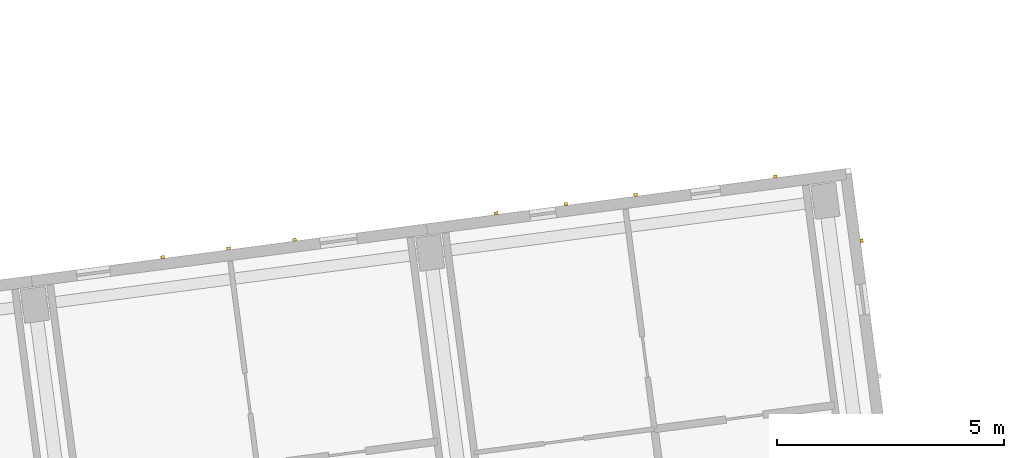
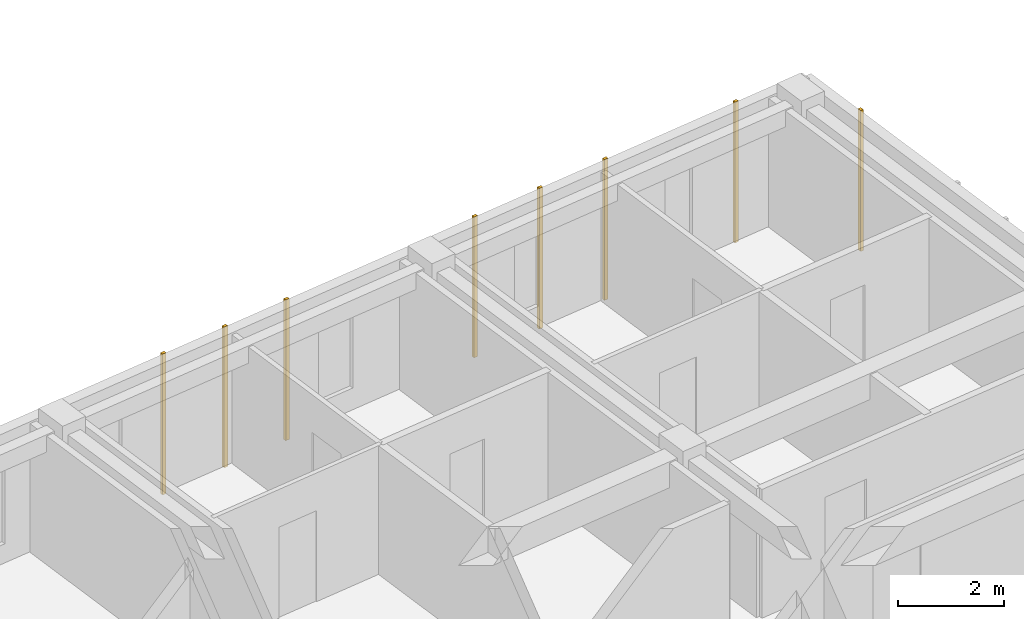
# One storey, part 57 of 66: 8 coverings.
"""IFC4 building model written with IfcOpenShell, lengths in metres."""

from ifc_helpers import new_model, si_unit, direction, frame, origin, origin_2d, place, context, subcontext, project, spatial, rectangle, extrude, material, layer, layer_set, type_object, element, save


model = new_model("IFC4")

# Units and contexts
model_context = context("Model", 3, precision=1e-05, world=origin(), true_north=direction((0.0, 1.0)))
body_context = subcontext(model_context, "Body", "Model", "MODEL_VIEW")
ifc_project = project(units=[si_unit("LENGTHUNIT", "METRE"), si_unit("AREAUNIT", "SQUARE_METRE"), si_unit("VOLUMEUNIT", "CUBIC_METRE"), si_unit("PLANEANGLEUNIT", "RADIAN"), si_unit("MASSUNIT", "GRAM", prefix="KILO")], contexts=[model_context])

# Site, building, storey
site_placement = place(None, origin())
site = spatial("IfcSite", under=ifc_project, at=site_placement, CompositionType="ELEMENT")
building_placement = place(site_placement, origin())
building = spatial("IfcBuilding", under=site, at=building_placement, Name="Kestramere Prow Commons", CompositionType="ELEMENT")
storey_placement = place(building_placement, frame((0.0, 0.0, 14.89990234375)))
storey = spatial("IfcBuildingStorey", under=building, at=storey_placement, Name="L04", CompositionType="ELEMENT", Elevation=14.89990234375)

# Coverings
ifc_material = material(Name="Weathered Zinc-Titanium Standing-Seam Cladding")
ifc_layer = layer(ifc_material, 0.074951171875)
ifc_layer_set = layer_set([ifc_layer], Name="Weathered Zinc-Titanium Standing-Seam Cladding")
covering_type = type_object("IfcCoveringType", Name="COV-CLAD-SEAM", PredefinedType="CLADDING", material=ifc_layer_set)
for number, where, z_axis, x_axis, name in (
    (1, (46.30810546875, 97.47802734375, -0.25), (0.0, 0.0, 1.0), (0.991444861374, 0.13052619222, 0.0), "EW-A-L04-N-4 Standing-Seam Rib 2"),
    (2, (47.76220703125, 97.66943359375, -0.25), (0.0, 0.0, 1.0), (0.991444861374, 0.13052619222, 0.0), "EW-A-L04-N-4 Standing-Seam Rib 3"),
    (3, (49.21630859375, 97.86083984375, -0.25), (0.0, 0.0, 1.0), (0.991444861374, 0.13052619222, 0.0), "EW-A-L04-N-4 Standing-Seam Rib 4"),
    (4, (53.66552734375, 98.446533203125, -0.25), (0.0, 0.0, 1.0), (0.991444861374, 0.13052619222, 0.0), "EW-A-L04-N-5 Standing-Seam Rib 1"),
    (5, (55.206298828125, 98.6494140625, -0.25), (0.0, 0.0, 1.0), (0.991444861374, 0.13052619222, 0.0), "EW-A-L04-N-5 Standing-Seam Rib 2"),
    (6, (56.747314453125, 98.852294921875, -0.25), (0.0, 0.0, 1.0), (0.991444861374, 0.13052619222, 0.0), "EW-A-L04-N-5 Standing-Seam Rib 3"),
    (7, (59.828857421875, 99.258056640625, -0.25), (0.0, 0.0, 1.0), (0.991444861374, 0.13052619222, 0.0), "EW-A-L04-N-5 Standing-Seam Rib 5"),
    (8, (61.7373046875, 97.8388671875, -0.25), (0.0, 0.0, 1.0), (0.13052619222, -0.991444861374, 0.0), "EW-A-L04-EAV Standing-Seam Rib 1"),
):
    element("IfcCovering", number, at=place(storey_placement, frame(where, z_axis=z_axis, x_axis=x_axis)), inside=storey, type_object=covering_type, Name=name, PredefinedType="CLADDING", context=body_context, shape_type="SweptSolid", body=[
        extrude(rectangle(XDim=0.0849609375, YDim=0.06494140625, at=origin_2d()), origin(), (0.0, 0.0, 1.0), 3.25),
    ])

save(model, "model.ifc")
